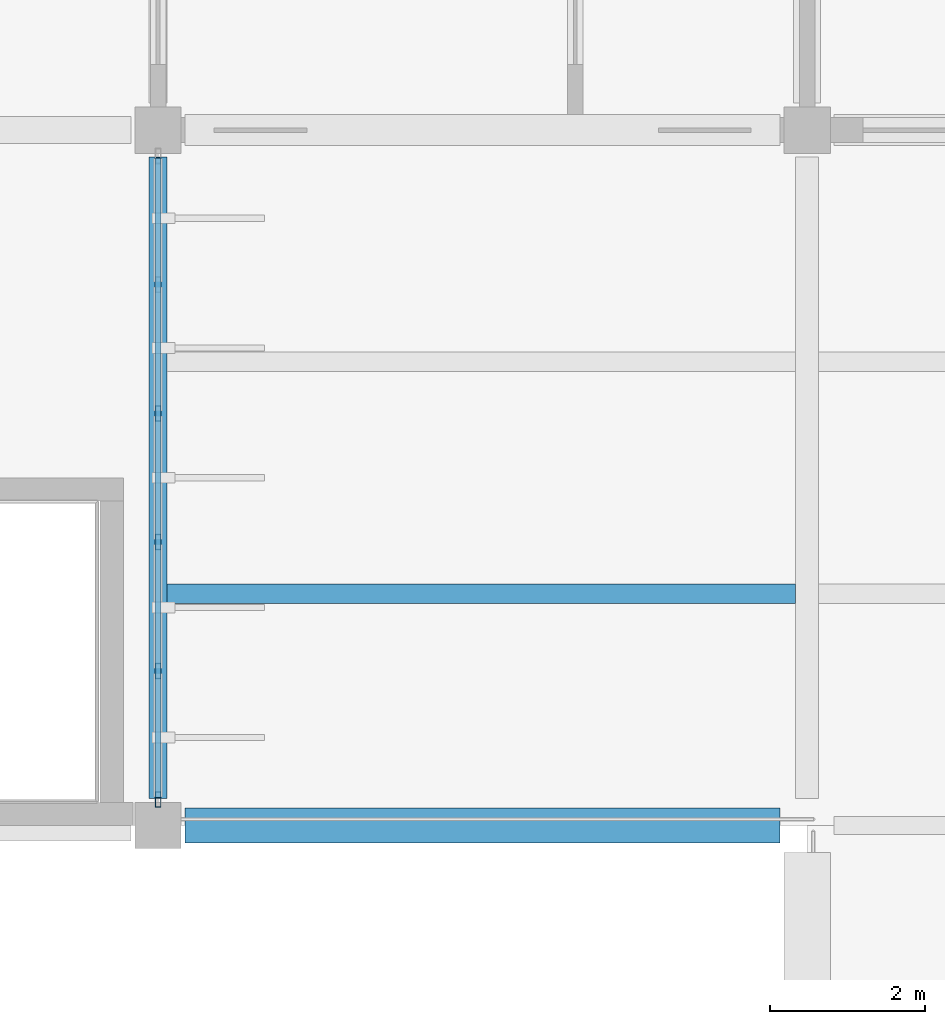
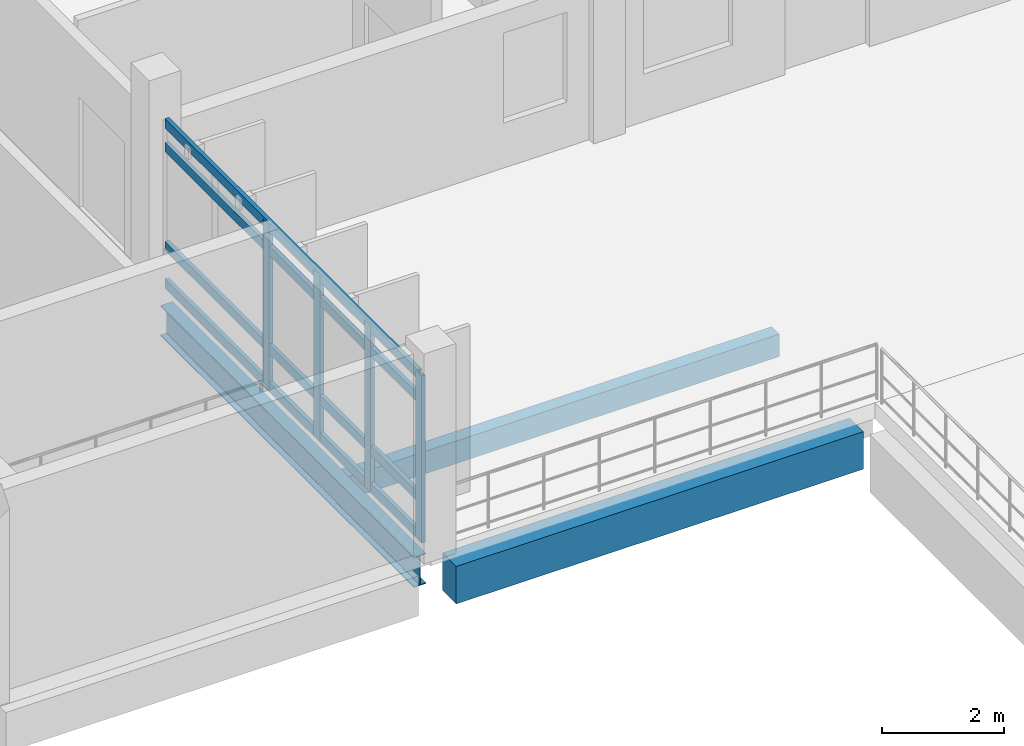
# One storey, part 9 of 101: 8 members, 3 beams, 1 element without a shape of its own.
"""IFC4 building model written with IfcOpenShell, lengths in metres."""

from ifc_helpers import new_model, si_unit, direction, frame, origin, origin_2d, place, context, subcontext, project, spatial, rectangle, hollow_rectangle, i_section, extrude, material, layer, layer_set, material_profile, profile_set, type_object, element, aggregate, save


model = new_model("IFC4")

# Units and contexts
model_context = context("Model", 3, precision=1e-05, world=origin(), true_north=direction((0.0, 1.0)))
body_context = subcontext(model_context, "Body", "Model", "MODEL_VIEW")
ifc_project = project(units=[si_unit("LENGTHUNIT", "METRE"), si_unit("AREAUNIT", "SQUARE_METRE"), si_unit("VOLUMEUNIT", "CUBIC_METRE"), si_unit("PLANEANGLEUNIT", "RADIAN"), si_unit("MASSUNIT", "GRAM", prefix="KILO")], contexts=[model_context])

# Site, building, storey
site_placement = place(None, origin())
site = spatial("IfcSite", under=ifc_project, at=site_placement, CompositionType="ELEMENT")
building_placement = place(site_placement, origin())
building = spatial("IfcBuilding", under=site, at=building_placement, Name="Vireocrest Preparatory School", CompositionType="ELEMENT")
storey_placement = place(building_placement, frame((0.0, 0.0, 4.800048828125)))
storey = spatial("IfcBuildingStorey", under=building, at=storey_placement, Name="L01", CompositionType="ELEMENT", Elevation=4.800048828125)

# Curtain wall, members
ifc_material_1 = material(Name="Thermally broken aluminium EN AW-6063-T6", Category="aluminium")
ifc_layer = layer(ifc_material_1, 0.179931640625)
ifc_layer_set = layer_set([ifc_layer], Name="Thermally broken aluminium EN AW-6063-T6")
curtain_wall_type = type_object("IfcCurtainWallType", Name="Side Facade Curtain Wall 9000x4200", PredefinedType="USERDEFINED", material=ifc_layer_set)
curtain_wall_placement = place(storey_placement, origin())
curtain_wall = element("IfcCurtainWall", 1, at=curtain_wall_placement, inside=storey, type_object=curtain_wall_type, Name="Curtain Wall CW07 CW_L01_CW07_0420_0183_048", ObjectType="CURTAIN WALL", PredefinedType="USERDEFINED")
ifc_material_profile_1 = material_profile(ifc_material_1, hollow_rectangle(XDim=0.074951171875, YDim=0.199951171875, WallThickness=0.0048828125, at=origin_2d()), Name="ALU 75x200x5")
ifc_profile_set_1 = profile_set([ifc_material_profile_1], Name="Thermally broken aluminium EN AW-6063-T6")
member_type_1 = type_object("IfcMemberType", Name="CW Mullion 75x200x5", PredefinedType="MULLION", material=ifc_profile_set_1)
member_1_placement = place(storey_placement, frame((42.0, 18.3349609375, 0.0), z_axis=(0.0, 0.0, 1.0), x_axis=(1.0, 0.0, 0.0)))
member_1 = element("IfcMember", 2, at=member_1_placement, type_object=member_type_1, Name="CW Mullion ML3 CW_L01_CW07_0420_0183_048-1", PredefinedType="MULLION", context=body_context, shape_type="SweptSolid", body=[
    extrude(hollow_rectangle(XDim=0.074951171875, YDim=0.199951171875, WallThickness=0.0048828125, at=origin_2d()), origin(), (0.0, 0.0, 1.0), 3.3369140625),
])
member_2_placement = place(storey_placement, frame((42.0, 20.0009765625, 0.0), z_axis=(0.0, 0.0, 1.0), x_axis=(1.0, 0.0, 0.0)))
member_2 = element("IfcMember", 3, at=member_2_placement, type_object=member_type_1, Name="CW Mullion ML3 CW_L01_CW07_0420_0183_048-2", PredefinedType="MULLION", context=body_context, shape_type="SweptSolid", body=[
    extrude(hollow_rectangle(XDim=0.074951171875, YDim=0.199951171875, WallThickness=0.0048828125, at=origin_2d()), origin(), (0.0, 0.0, 1.0), 3.3369140625),
])
member_3_placement = place(storey_placement, frame((42.0, 21.6669921875, 0.0), z_axis=(0.0, 0.0, 1.0), x_axis=(1.0, 0.0, 0.0)))
member_3 = element("IfcMember", 4, at=member_3_placement, type_object=member_type_1, Name="CW Mullion ML3 CW_L01_CW07_0420_0183_048-3", PredefinedType="MULLION", context=body_context, shape_type="SweptSolid", body=[
    extrude(hollow_rectangle(XDim=0.074951171875, YDim=0.199951171875, WallThickness=0.0048828125, at=origin_2d()), origin(), (0.0, 0.0, 1.0), 3.3369140625),
])
member_4_placement = place(storey_placement, frame((42.0, 23.3330078125, 0.0), z_axis=(0.0, 0.0, 1.0), x_axis=(1.0, 0.0, 0.0)))
member_4 = element("IfcMember", 5, at=member_4_placement, type_object=member_type_1, Name="CW Mullion ML3 CW_L01_CW07_0420_0183_048-4", PredefinedType="MULLION", context=body_context, shape_type="SweptSolid", body=[
    extrude(hollow_rectangle(XDim=0.074951171875, YDim=0.199951171875, WallThickness=0.0048828125, at=origin_2d()), origin(), (0.0, 0.0, 1.0), 3.3369140625),
])
ifc_material_profile_2 = material_profile(ifc_material_1, hollow_rectangle(XDim=0.074951171875, YDim=0.18994140625, WallThickness=0.00390625, at=origin_2d()), Name="ALU 75x190x4")
ifc_profile_set_2 = profile_set([ifc_material_profile_2], Name="Thermally broken aluminium EN AW-6063-T6")
member_type_2 = type_object("IfcMemberType", Name="CW Transom 75x190x4", PredefinedType="USERDEFINED", material=ifc_profile_set_2)
member_5_placement = place(storey_placement, frame((42.0, 18.360107421875, 0.094970703125), z_axis=(0.0, 1.0, 0.0), x_axis=(-1.0, 0.0, 0.0)))
member_5 = element("IfcMember", 6, at=member_5_placement, type_object=member_type_2, Name="CW Transom TR3 CW_L01_CW07_0420_0183_048-1", ObjectType="TRANSOM", PredefinedType="USERDEFINED", context=body_context, shape_type="SweptSolid", body=[
    extrude(hollow_rectangle(XDim=0.074951171875, YDim=0.18994140625, WallThickness=0.00390625, at=origin_2d()), origin(), (0.0, 0.0, 1.0), 8.27978515625),
])
member_6_placement = place(storey_placement, frame((42.0, 18.360107421875, 0.849853515625), z_axis=(0.0, 1.0, 0.0), x_axis=(-1.0, 0.0, 0.0)))
member_6 = element("IfcMember", 7, at=member_6_placement, type_object=member_type_2, Name="CW Transom TR3 CW_L01_CW07_0420_0183_048-2", ObjectType="TRANSOM", PredefinedType="USERDEFINED", context=body_context, shape_type="SweptSolid", body=[
    extrude(hollow_rectangle(XDim=0.074951171875, YDim=0.18994140625, WallThickness=0.00390625, at=origin_2d()), origin(), (0.0, 0.0, 1.0), 8.27978515625),
])
member_7_placement = place(storey_placement, frame((42.0, 18.360107421875, 2.822021484375), z_axis=(0.0, 1.0, 0.0), x_axis=(-1.0, 0.0, 0.0)))
member_7 = element("IfcMember", 8, at=member_7_placement, type_object=member_type_2, Name="CW Transom TR3 CW_L01_CW07_0420_0183_048-3", ObjectType="TRANSOM", PredefinedType="USERDEFINED", context=body_context, shape_type="SweptSolid", body=[
    extrude(hollow_rectangle(XDim=0.074951171875, YDim=0.18994140625, WallThickness=0.00390625, at=origin_2d()), origin(), (0.0, 0.0, 1.0), 8.27978515625),
])
member_8_placement = place(storey_placement, frame((42.0, 18.360107421875, 3.296875), z_axis=(0.0, 1.0, 0.0), x_axis=(-1.0, 0.0, 0.0)))
member_8 = element("IfcMember", 9, at=member_8_placement, type_object=member_type_2, Name="CW Transom TR3 CW_L01_CW07_0420_0183_048-4", ObjectType="TRANSOM", PredefinedType="USERDEFINED", context=body_context, shape_type="SweptSolid", body=[
    extrude(hollow_rectangle(XDim=0.074951171875, YDim=0.18994140625, WallThickness=0.00390625, at=origin_2d()), origin(), (0.0, 0.0, 1.0), 8.27978515625),
])
aggregate(curtain_wall, [member_1, member_2, member_3, member_4, member_5, member_6, member_7, member_8])

# Beams
ifc_material_2 = material(Name="Structural steel ASTM A992 Grade 50", Category="steel")
ifc_material_profile_3 = material_profile(ifc_material_2, i_section(OverallWidth=0.22802734375, OverallDepth=0.60791015625, WebThickness=0.01123046875, FlangeThickness=0.017333984375, FilletRadius=0.01611328125, at=origin_2d()), Name="W24X76")
ifc_profile_set_3 = profile_set([ifc_material_profile_3], Name="Structural steel ASTM A992 Grade 50")
beam_type_1 = type_object("IfcBeamType", Name="Gallery Steel Girder W24X76", PredefinedType="BEAM", material=ifc_profile_set_3)
beam_1_placement = place(storey_placement, frame((42.0, 18.35009765625, -0.6240234375), z_axis=(0.0, 1.0, 0.0), x_axis=(-1.0, 0.0, 0.0)))
element("IfcBeam", 10, at=beam_1_placement, inside=storey, type_object=beam_type_1, Name="Primary Girder SB3 L01-0379", PredefinedType="BEAM", context=body_context, shape_type="SweptSolid", body=[
    extrude(i_section(OverallWidth=0.22802734375, OverallDepth=0.60791015625, WebThickness=0.01123046875, FlangeThickness=0.017333984375, FilletRadius=0.01611328125, at=origin_2d()), origin(), (0.0, 0.0, 1.0), 8.2998046875),
])
ifc_material_3 = material(Name="Concrete 40 MPa", Category="concrete")
ifc_material_profile_4 = material_profile(ifc_material_3, rectangle(XDim=0.449951171875, YDim=0.75, at=origin_2d()), Name="RC 450x750")
ifc_profile_set_4 = profile_set([ifc_material_profile_4], Name="Concrete 40 MPa")
beam_type_2 = type_object("IfcBeamType", Name="RC Library Stack Girder 450x750", PredefinedType="BEAM", material=ifc_profile_set_4)
beam_2_placement = place(storey_placement, frame((42.35009765625, 18.0, -0.695068359375), z_axis=(1.0, 0.0, 0.0), x_axis=(0.0, 1.0, 0.0)))
element("IfcBeam", 11, at=beam_2_placement, inside=storey, type_object=beam_type_2, Name="Primary Girder B11 L01-0261", PredefinedType="BEAM", context=body_context, shape_type="SweptSolid", body=[
    extrude(rectangle(XDim=0.449951171875, YDim=0.75, at=origin_2d()), origin(), (0.0, 0.0, 1.0), 7.699951171875),
])
ifc_material_profile_5 = material_profile(ifc_material_3, rectangle(XDim=0.25, YDim=0.449951171875, at=origin_2d()), Name="RC 250x450")
ifc_profile_set_5 = profile_set([ifc_material_profile_5], Name="Concrete 40 MPa")
beam_type_3 = type_object("IfcBeamType", Name="RC Secondary Floor Joist 250x450", PredefinedType="JOIST", material=ifc_profile_set_5)
beam_3_placement = place(storey_placement, frame((42.114013671875, 21.0, -0.545166015625), z_axis=(1.0, 0.0, 0.0), x_axis=(0.0, 1.0, 0.0)))
element("IfcBeam", 12, at=beam_3_placement, inside=storey, type_object=beam_type_3, Name="Secondary Joist J01 L01-0506", PredefinedType="JOIST", context=body_context, shape_type="SweptSolid", body=[
    extrude(rectangle(XDim=0.25, YDim=0.449951171875, at=origin_2d()), origin(), (0.0, 0.0, 1.0), 8.135986328125),
])

save(model, "model.ifc")
